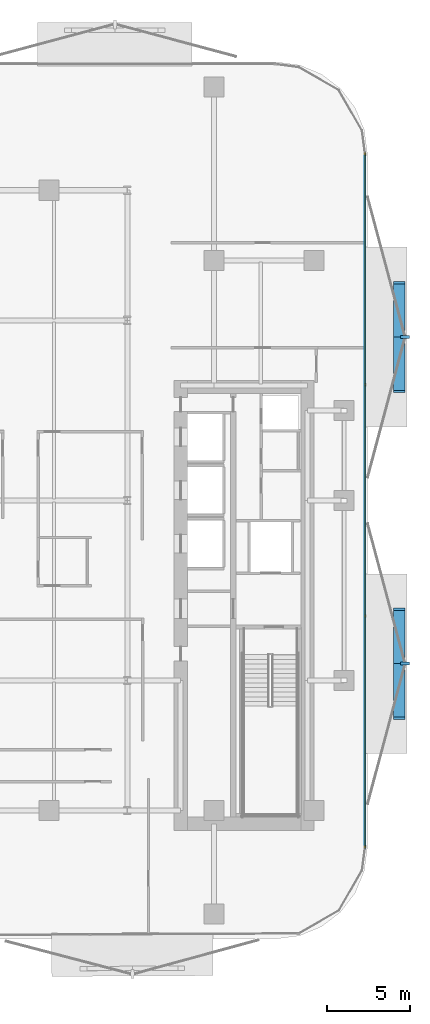
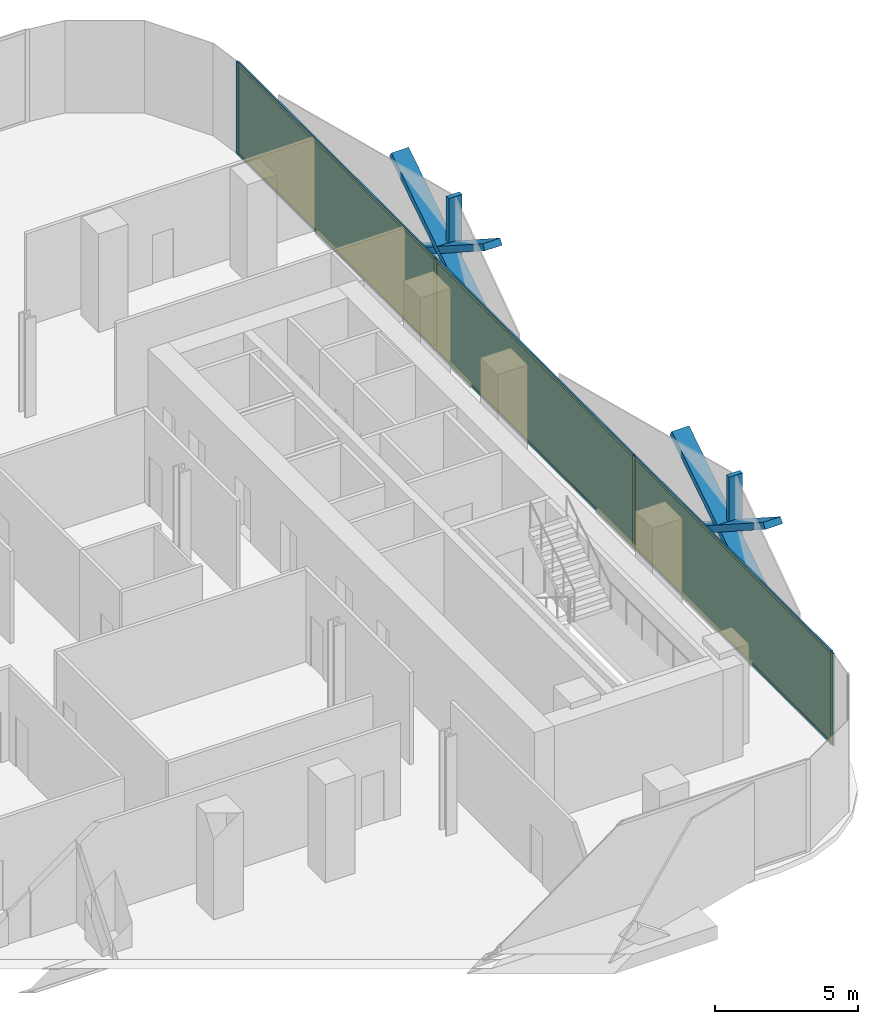
# One storey, part 9 of 15: 16 members, 3 plates, 1 curtain wall.
"""IFC4 building model written with IfcOpenShell, lengths in metres."""

from ifc_helpers import new_model, si_unit, direction, frame, frame_2d, origin, origin_2d, place, context, subcontext, project, spatial, rectangle, extrude, material, layer, layer_set, material_profile, profile_set, type_object, element, aggregate, save


model = new_model("IFC4")

# Units and contexts
model_context = context("Model", 3, precision=1e-05, world=origin(), true_north=direction((0.0, 1.0)))
body_context = subcontext(model_context, "Body", "Model", "MODEL_VIEW")
ifc_project = project(units=[si_unit("LENGTHUNIT", "METRE"), si_unit("AREAUNIT", "SQUARE_METRE"), si_unit("VOLUMEUNIT", "CUBIC_METRE"), si_unit("PLANEANGLEUNIT", "RADIAN"), si_unit("MASSUNIT", "GRAM", prefix="KILO")], contexts=[model_context])

# Member
ifc_material_1 = material(Name="Anodised Bronze Aluminium 6063-T6", Category="aluminium")
ifc_material_profile_1 = material_profile(ifc_material_1, rectangle(XDim=0.260009765625, YDim=0.699951171875, at=origin_2d()))
ifc_profile_set_1 = profile_set([ifc_material_profile_1], Name="Anodised Bronze Aluminium 6063-T6")
member_type_1 = type_object("IfcMemberType", Name="Bronze Diamond Solar-Screen Lattice Rib BDL-700", PredefinedType="MULLION", material=ifc_profile_set_1)
site_placement = place(None, origin())
building_placement = place(site_placement, origin())
storey_placement = place(building_placement, frame((0.0, 0.0, 110.0)))
member_1_placement = place(storey_placement, frame((25.5, 13.060546875, -0.1298828125), z_axis=(0.0, -0.841066075866, 0.540932395062), x_axis=(0.0, -0.540932395062, -0.841066075866)))
member_1 = element("IfcMember", 1, at=member_1_placement, type_object=member_type_1, Name="L25 Bronze Diamond Solar Screen Lattice Rib 151A", PredefinedType="MULLION", context=body_context, shape_type="SweptSolid", body=[
    extrude(rectangle(XDim=0.260009765625, YDim=0.699951171875, at=origin_2d()), origin(), (0.0, 0.0, 1.0), 7.76416015625),
])

member_2_placement = place(storey_placement, frame((25.5, 6.5302734375, -0.1298828125), z_axis=(0.0, 0.841066075866, 0.540932395062), x_axis=(0.0, 0.540932395062, -0.841066075866)))
member_2 = element("IfcMember", 2, at=member_2_placement, type_object=member_type_1, Name="L25 Bronze Diamond Solar Screen Lattice Rib 151B", PredefinedType="MULLION", context=body_context, shape_type="SweptSolid", body=[
    extrude(rectangle(XDim=0.260009765625, YDim=0.699951171875, at=origin_2d()), origin(), (0.0, 0.0, 1.0), 7.76416015625),
])

member_3_placement = place(storey_placement, frame((25.5, -6.5302734375, -0.1298828125), z_axis=(0.0, -0.841066075866, 0.540932395062), x_axis=(0.0, -0.540932395062, -0.841066075866)))
member_3 = element("IfcMember", 3, at=member_3_placement, type_object=member_type_1, Name="L25 Bronze Diamond Solar Screen Lattice Rib 152A", PredefinedType="MULLION", context=body_context, shape_type="SweptSolid", body=[
    extrude(rectangle(XDim=0.260009765625, YDim=0.699951171875, at=origin_2d()), origin(), (0.0, 0.0, 1.0), 7.76416015625),
])

member_4_placement = place(storey_placement, frame((25.5, -13.060546875, -0.1298828125), z_axis=(0.0, 0.841066075866, 0.540932395062), x_axis=(0.0, 0.540932395062, -0.841066075866)))
member_4 = element("IfcMember", 4, at=member_4_placement, type_object=member_type_1, Name="L25 Bronze Diamond Solar Screen Lattice Rib 152B", PredefinedType="MULLION", context=body_context, shape_type="SweptSolid", body=[
    extrude(rectangle(XDim=0.260009765625, YDim=0.699951171875, at=origin_2d()), origin(), (0.0, 0.0, 1.0), 7.76416015625),
])

ifc_material_2 = material(Name="Anodised Bronze Aluminium 6063-T6", Category="aluminium")
ifc_material_profile_2 = material_profile(ifc_material_2, rectangle(XDim=0.179931640625, YDim=0.5400390625, at=origin_2d()))
ifc_profile_set_2 = profile_set([ifc_material_profile_2], Name="Anodised Bronze Aluminium 6063-T6")
member_type_2 = type_object("IfcMemberType", Name="Bronze Solar-Screen Vertical Fold Fin BSF-540", PredefinedType="MULLION", material=ifc_profile_set_2)
member_5_placement = place(storey_placement, frame((25.840087890625, 9.79541015625, -0.1298828125), z_axis=(0.0, 0.0, 1.0), x_axis=(0.0, -1.0, 0.0)))
member_5 = element("IfcMember", 5, at=member_5_placement, type_object=member_type_2, Name="L25 Bronze Solar Screen Vertical Fin 151", PredefinedType="MULLION", context=body_context, shape_type="SweptSolid", body=[
    extrude(rectangle(XDim=0.179931640625, YDim=0.5400390625, at=origin_2d()), origin(), (0.0, 0.0, 1.0), 4.199951171875),
])

member_6_placement = place(storey_placement, frame((25.840087890625, -9.79541015625, -0.1298828125), z_axis=(0.0, 0.0, 1.0), x_axis=(0.0, -1.0, 0.0)))
member_6 = element("IfcMember", 6, at=member_6_placement, type_object=member_type_2, Name="L25 Bronze Solar Screen Vertical Fin 152", PredefinedType="MULLION", context=body_context, shape_type="SweptSolid", body=[
    extrude(rectangle(XDim=0.179931640625, YDim=0.5400390625, at=origin_2d()), origin(), (0.0, 0.0, 1.0), 4.199951171875),
])

ifc_material_3 = material(Name="Anodised Bronze Aluminium 6063-T6", Category="aluminium")
ifc_material_profile_3 = material_profile(ifc_material_3, rectangle(XDim=0.06494140625, YDim=0.175048828125, at=origin_2d()))
ifc_profile_set_3 = profile_set([ifc_material_profile_3], Name="Anodised Bronze Aluminium 6063-T6")
member_type_3 = type_object("IfcMemberType", Name="CW-Z2 Mullion 65x175", PredefinedType="MULLION", material=ifc_profile_set_3)
member_7_placement = place(storey_placement, frame((23.4599609375, 20.75830078125, 0.0), z_axis=(0.0, 0.0, 1.0), x_axis=(1.0, 0.0, 0.0)))
member_7 = element("IfcMember", 7, at=member_7_placement, type_object=member_type_3, Name="CW-Z2 mullion 1", PredefinedType="MULLION", context=body_context, shape_type="SweptSolid", body=[
    extrude(rectangle(XDim=0.06494140625, YDim=0.175048828125, at=origin_2d()), origin(), (0.0, 0.0, 1.0), 3.93994140625),
])

member_8_placement = place(storey_placement, frame((23.4599609375, 6.93017578125, 0.0), z_axis=(0.0, 0.0, 1.0), x_axis=(1.0, 0.0, 0.0)))
member_8 = element("IfcMember", 8, at=member_8_placement, type_object=member_type_3, Name="CW-Z2 mullion 2", PredefinedType="MULLION", context=body_context, shape_type="SweptSolid", body=[
    extrude(rectangle(XDim=0.06494140625, YDim=0.175048828125, at=origin_2d()), origin(), (0.0, 0.0, 1.0), 3.93994140625),
])

member_9_placement = place(storey_placement, frame((23.4599609375, -6.93017578125, 0.0), z_axis=(0.0, 0.0, 1.0), x_axis=(1.0, 0.0, 0.0)))
member_9 = element("IfcMember", 9, at=member_9_placement, type_object=member_type_3, Name="CW-Z2 mullion 3", PredefinedType="MULLION", context=body_context, shape_type="SweptSolid", body=[
    extrude(rectangle(XDim=0.06494140625, YDim=0.175048828125, at=origin_2d()), origin(), (0.0, 0.0, 1.0), 3.93994140625),
])

member_10_placement = place(storey_placement, frame((23.4599609375, -20.75830078125, 0.0), z_axis=(0.0, 0.0, 1.0), x_axis=(1.0, 0.0, 0.0)))
member_10 = element("IfcMember", 10, at=member_10_placement, type_object=member_type_3, Name="CW-Z2 mullion 4", PredefinedType="MULLION", context=body_context, shape_type="SweptSolid", body=[
    extrude(rectangle(XDim=0.06494140625, YDim=0.175048828125, at=origin_2d()), origin(), (0.0, 0.0, 1.0), 3.93994140625),
])

ifc_material_4 = material(Name="Anodised Bronze Aluminium 6063-T6", Category="aluminium")
ifc_material_profile_4 = material_profile(ifc_material_4, rectangle(XDim=0.06494140625, YDim=0.135009765625, at=origin_2d()))
ifc_profile_set_4 = profile_set([ifc_material_profile_4], Name="Anodised Bronze Aluminium 6063-T6")
member_type_4 = type_object("IfcMemberType", Name="CW-Z2 Transom 65x135", PredefinedType="USERDEFINED", material=ifc_profile_set_4)
member_11_placement = place(storey_placement, frame((23.4599609375, 20.725830078125, 0.032470703125), z_axis=(0.0, -1.0, 0.0), x_axis=(1.0, 0.0, 0.0)))
member_11 = element("IfcMember", 11, at=member_11_placement, type_object=member_type_4, Name="CW-Z2 transom 1.1", ObjectType="TRANSOM", PredefinedType="USERDEFINED", context=body_context, shape_type="SweptSolid", body=[
    extrude(rectangle(XDim=0.06494140625, YDim=0.135009765625, at=origin_2d()), origin(), (0.0, 0.0, 1.0), 13.76318359375),
])

member_12_placement = place(storey_placement, frame((23.4599609375, 20.725830078125, 3.907470703125), z_axis=(0.0, -1.0, 0.0), x_axis=(1.0, 0.0, 0.0)))
member_12 = element("IfcMember", 12, at=member_12_placement, type_object=member_type_4, Name="CW-Z2 transom 1.2", ObjectType="TRANSOM", PredefinedType="USERDEFINED", context=body_context, shape_type="SweptSolid", body=[
    extrude(rectangle(XDim=0.06494140625, YDim=0.135009765625, at=origin_2d()), origin(), (0.0, 0.0, 1.0), 13.76318359375),
])

member_13_placement = place(storey_placement, frame((23.4599609375, 6.897705078125, 0.032470703125), z_axis=(0.0, -1.0, 0.0), x_axis=(1.0, 0.0, 0.0)))
member_13 = element("IfcMember", 13, at=member_13_placement, type_object=member_type_4, Name="CW-Z2 transom 2.1", ObjectType="TRANSOM", PredefinedType="USERDEFINED", context=body_context, shape_type="SweptSolid", body=[
    extrude(rectangle(XDim=0.06494140625, YDim=0.135009765625, at=origin_2d()), origin(), (0.0, 0.0, 1.0), 13.79541015625),
])

member_14_placement = place(storey_placement, frame((23.4599609375, 6.897705078125, 3.907470703125), z_axis=(0.0, -1.0, 0.0), x_axis=(1.0, 0.0, 0.0)))
member_14 = element("IfcMember", 14, at=member_14_placement, type_object=member_type_4, Name="CW-Z2 transom 2.2", ObjectType="TRANSOM", PredefinedType="USERDEFINED", context=body_context, shape_type="SweptSolid", body=[
    extrude(rectangle(XDim=0.06494140625, YDim=0.135009765625, at=origin_2d()), origin(), (0.0, 0.0, 1.0), 13.79541015625),
])

member_15_placement = place(storey_placement, frame((23.4599609375, -6.962646484375, 0.032470703125), z_axis=(0.0, -1.0, 0.0), x_axis=(1.0, 0.0, 0.0)))
member_15 = element("IfcMember", 15, at=member_15_placement, type_object=member_type_4, Name="CW-Z2 transom 3.1", ObjectType="TRANSOM", PredefinedType="USERDEFINED", context=body_context, shape_type="SweptSolid", body=[
    extrude(rectangle(XDim=0.06494140625, YDim=0.135009765625, at=origin_2d()), origin(), (0.0, 0.0, 1.0), 13.76318359375),
])

member_16_placement = place(storey_placement, frame((23.4599609375, -6.962646484375, 3.907470703125), z_axis=(0.0, -1.0, 0.0), x_axis=(1.0, 0.0, 0.0)))
member_16 = element("IfcMember", 16, at=member_16_placement, type_object=member_type_4, Name="CW-Z2 transom 3.2", ObjectType="TRANSOM", PredefinedType="USERDEFINED", context=body_context, shape_type="SweptSolid", body=[
    extrude(rectangle(XDim=0.06494140625, YDim=0.135009765625, at=origin_2d()), origin(), (0.0, 0.0, 1.0), 13.76318359375),
])

# Plate
ifc_material_5 = material(Name="Low-E Solar Control Laminated Glass", Category="glass")
ifc_layer_1 = layer(ifc_material_5, 0.028076171875, Name="Low-E Solar Control Laminated Glass")
ifc_layer_set_1 = layer_set([ifc_layer_1], Name="Low-E Solar Control Laminated Glass")
plate_type = type_object("IfcPlateType", Name="CW-Z2 Low-E Double Glazed Panel 28mm", PredefinedType="CURTAIN_PANEL", material=ifc_layer_set_1)
plate_1_placement = place(storey_placement, frame((23.4599609375, 13.84423828125, 0.06494140625), z_axis=(0.0, 0.0, 1.0), x_axis=(0.0, -1.0, 0.0)))
plate_1 = element("IfcPlate", 17, at=plate_1_placement, type_object=plate_type, Name="CW-Z2 panel 1.1", PredefinedType="CURTAIN_PANEL", context=body_context, shape_type="SweptSolid", body=[
    extrude(rectangle(XDim=13.762939453125, YDim=0.028076171875, at=origin_2d()), origin(), (0.0, 0.0, 1.0), 3.81005859375),
])

plate_2_placement = place(storey_placement, frame((23.4599609375, 0.0, 0.06494140625), z_axis=(0.0, 0.0, 1.0), x_axis=(0.0, -1.0, 0.0)))
plate_2 = element("IfcPlate", 18, at=plate_2_placement, type_object=plate_type, Name="CW-Z2 panel 2.1", PredefinedType="CURTAIN_PANEL", context=body_context, shape_type="SweptSolid", body=[
    extrude(rectangle(XDim=13.795654296875, YDim=0.028076171875, at=origin_2d()), origin(), (0.0, 0.0, 1.0), 3.81005859375),
])

plate_3_placement = place(storey_placement, frame((23.4599609375, -13.84423828125, 0.06494140625), z_axis=(0.0, 0.0, 1.0), x_axis=(0.0, -1.0, 0.0)))
plate_3 = element("IfcPlate", 19, at=plate_3_placement, type_object=plate_type, Name="CW-Z2 panel 3.1", PredefinedType="CURTAIN_PANEL", context=body_context, shape_type="SweptSolid", body=[
    extrude(rectangle(XDim=13.762939453125, YDim=0.028076171875, at=origin_2d()), origin(), (0.0, 0.0, 1.0), 3.81005859375),
])

# Site, building, storey
site = spatial("IfcSite", under=ifc_project, at=site_placement, CompositionType="ELEMENT")
building = spatial("IfcBuilding", under=site, at=building_placement, Name="Khairoan Windgate Tower", CompositionType="ELEMENT")
storey = spatial("IfcBuildingStorey", under=building, at=storey_placement, Name="L25", CompositionType="ELEMENT", Elevation=110.0)

# Curtain wall
ifc_material_6 = material(Name="Anodised Bronze Aluminium 6063-T6", Category="aluminium")
ifc_layer_2 = layer(ifc_material_6, 0.175048828125, Name="Anodised Bronze Aluminium 6063-T6")
ifc_layer_set_2 = layer_set([ifc_layer_2], Name="Anodised Bronze Aluminium 6063-T6")
curtain_wall_type = type_object("IfcCurtainWallType", Name="Mid-Rise Office Unitised Curtain Wall CW-Z2", PredefinedType="NOTDEFINED", material=ifc_layer_set_2)
curtain_wall_placement = place(storey_placement, frame((23.4599609375, 20.790771484375, 0.0), z_axis=(0.0, 0.0, 1.0), x_axis=(0.0, -1.0, 0.0)))
curtain_wall = element("IfcCurtainWall", 20, at=curtain_wall_placement, inside=storey, type_object=curtain_wall_type, Name="L25 Unitised Curtain Wall 16", PredefinedType="NOTDEFINED", context=body_context, shape_type="SweptSolid", body=[
    extrude(rectangle(XDim=41.58154296875, YDim=0.010009765625, at=frame_2d((20.790771484375, 0.0))), origin(), (0.0, 0.0, 1.0), 3.93994140625),
])

aggregate(curtain_wall, [member_7, member_8, member_9, member_10, member_11, member_12, plate_1, member_13, member_14, plate_2, member_15, member_16, plate_3, member_1, member_2, member_5, member_3, member_4, member_6])

save(model, "model.ifc")
